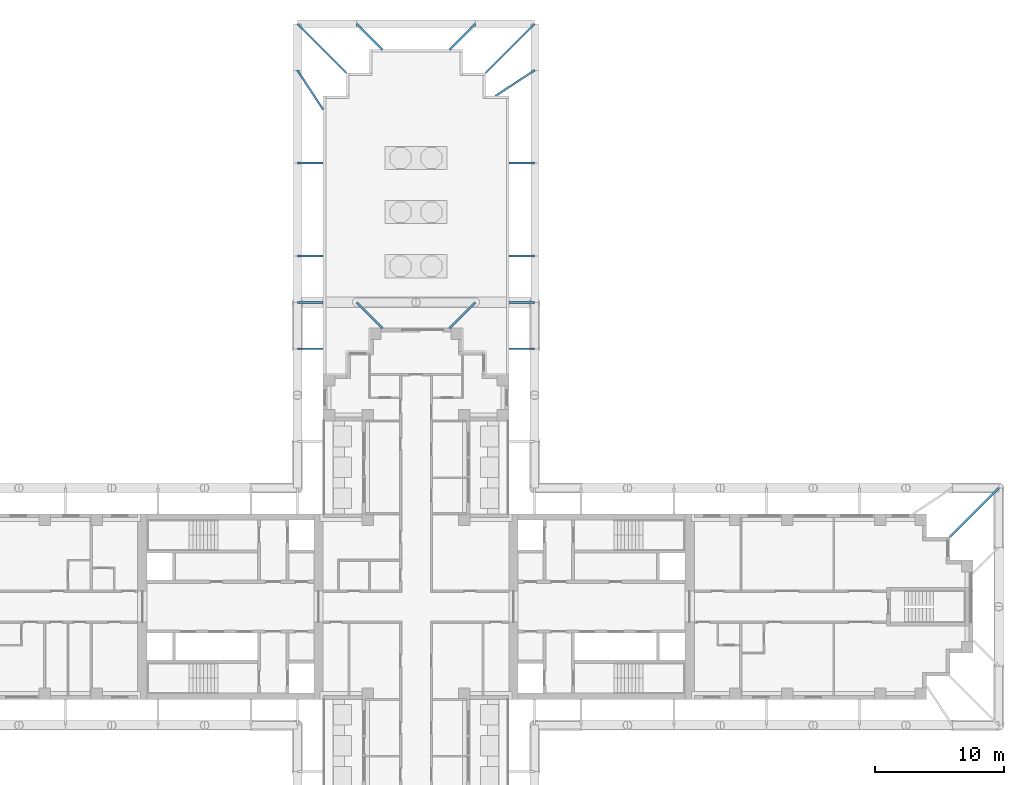
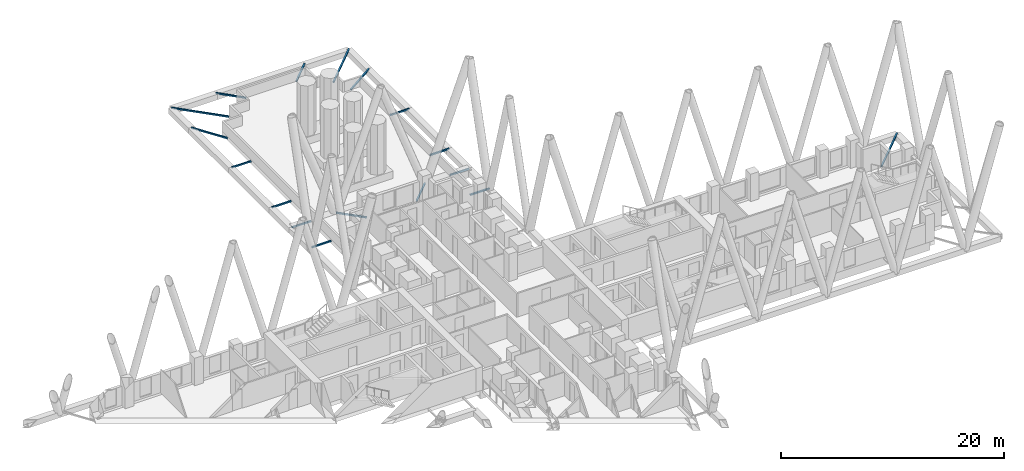
# One storey, part 14 of 16: 17 discrete accessories.
"""IFC4 building model written with IfcOpenShell, lengths in metres."""

from ifc_helpers import new_model, si_unit, direction, frame, origin, origin_2d, place, context, subcontext, project, spatial, hollow_rectangle, extrude, material, element, save


model = new_model("IFC4")

# Units and contexts
model_context = context("Model", 3, precision=1e-05, world=origin(), true_north=direction((0.0, 1.0)))
body_context = subcontext(model_context, "Body", "Model", "MODEL_VIEW")
ifc_project = project(units=[si_unit("LENGTHUNIT", "METRE"), si_unit("AREAUNIT", "SQUARE_METRE"), si_unit("VOLUMEUNIT", "CUBIC_METRE"), si_unit("PLANEANGLEUNIT", "RADIAN"), si_unit("MASSUNIT", "GRAM", prefix="KILO")], contexts=[model_context])

# Site, building, storey
site_placement = place(None, origin())
site = spatial("IfcSite", under=ifc_project, at=site_placement, CompositionType="ELEMENT")
building_placement = place(site_placement, origin())
building = spatial("IfcBuilding", under=site, at=building_placement, Name="Fustian Cross Tower", CompositionType="ELEMENT")
storey_placement = place(building_placement, frame((0.0, 0.0, 66.89990234375)))
storey = spatial("IfcBuildingStorey", under=building, at=storey_placement, Name="L20", CompositionType="ELEMENT", Elevation=66.89990234375)

# Discrete accessories
ifc_material = material(Name="Steel S355", Category="steel")
discrete_accessory_1_placement = place(storey_placement, frame((45.199951171875, 9.199951171875, -0.14990234375), z_axis=(-0.707106781187, -0.707106781187, 0.0), x_axis=(0.707106781187, -0.707106781187, 0.0)))
element("IfcDiscreteAccessory", 1, at=discrete_accessory_1_placement, inside=storey, material=ifc_material, Name="Diagrid node bracket L20-02", PredefinedType="BRACKET", context=body_context, shape_type="SweptSolid", body=[
    extrude(hollow_rectangle(XDim=0.14990234375, YDim=0.14990234375, WallThickness=0.010009765625, at=origin_2d()), origin(), (0.0, 0.0, 1.0), 5.3740234375),
])
for number, where, z_axis, x_axis, name in (
    (2, (9.199951171875, 20.0, -0.14990234375), (-1.0, 0.0, 0.0), (0.0, -1.0, 0.0), "Diagrid node bracket L20-10"),
    (3, (9.199951171875, 23.60009765625, -0.14990234375), (-1.0, 0.0, 0.0), (0.0, -1.0, 0.0), "Diagrid node bracket L20-11"),
    (4, (9.199951171875, 27.199951171875, -0.14990234375), (-1.0, 0.0, 0.0), (0.0, -1.0, 0.0), "Diagrid node bracket L20-12"),
    (5, (9.199951171875, 34.39990234375, -0.14990234375), (-1.0, 0.0, 0.0), (0.0, -1.0, 0.0), "Diagrid node bracket L20-13"),
):
    element("IfcDiscreteAccessory", number, at=place(storey_placement, frame(where, z_axis=z_axis, x_axis=x_axis)), inside=storey, material=ifc_material, Name=name, PredefinedType="BRACKET", context=body_context, shape_type="SweptSolid", body=[
        extrude(hollow_rectangle(XDim=0.14990234375, YDim=0.14990234375, WallThickness=0.010009765625, at=origin_2d()), origin(), (0.0, 0.0, 1.0), 2.0),
    ])
discrete_accessory_2_placement = place(storey_placement, frame((9.199951171875, 41.60009765625, -0.14990234375), z_axis=(-0.836248392914, -0.548350823241, 0.0), x_axis=(0.548350823241, -0.836248392914, 0.0)))
element("IfcDiscreteAccessory", 6, at=discrete_accessory_2_placement, inside=storey, material=ifc_material, Name="Diagrid node bracket L20-14", PredefinedType="BRACKET", context=body_context, shape_type="SweptSolid", body=[
    extrude(hollow_rectangle(XDim=0.14990234375, YDim=0.14990234375, WallThickness=0.010009765625, at=origin_2d()), origin(), (0.0, 0.0, 1.0), 3.647216796875),
])
discrete_accessory_3_placement = place(storey_placement, frame((9.199951171875, 45.199951171875, -0.14990234375), z_axis=(-0.707106781187, -0.707106781187, 0.0), x_axis=(0.707106781187, -0.707106781187, 0.0)))
element("IfcDiscreteAccessory", 7, at=discrete_accessory_3_placement, inside=storey, material=ifc_material, Name="Diagrid node bracket L20-15", PredefinedType="BRACKET", context=body_context, shape_type="SweptSolid", body=[
    extrude(hollow_rectangle(XDim=0.14990234375, YDim=0.14990234375, WallThickness=0.010009765625, at=origin_2d()), origin(), (0.0, 0.0, 1.0), 5.3740234375),
])
for number, where, z_axis, x_axis, name in (
    (8, (4.60009765625, 23.60009765625, -0.14990234375), (-0.707106781187, -0.707106781187, 0.0), (0.707106781187, -0.707106781187, 0.0), "Diagrid node bracket L20-16"),
    (9, (4.60009765625, 45.199951171875, -0.14990234375), (-0.707106781187, -0.707106781187, 0.0), (0.707106781187, -0.707106781187, 0.0), "Diagrid node bracket L20-17"),
    (10, (-4.60009765625, 45.199951171875, -0.14990234375), (0.707106781187, -0.707106781187, 0.0), (0.707106781187, 0.707106781187, 0.0), "Diagrid node bracket L20-18"),
    (11, (-4.60009765625, 23.60009765625, -0.14990234375), (0.707106781187, -0.707106781187, 0.0), (0.707106781187, 0.707106781187, 0.0), "Diagrid node bracket L20-19"),
):
    element("IfcDiscreteAccessory", number, at=place(storey_placement, frame(where, z_axis=z_axis, x_axis=x_axis)), inside=storey, material=ifc_material, Name=name, PredefinedType="BRACKET", context=body_context, shape_type="SweptSolid", body=[
        extrude(hollow_rectangle(XDim=0.14990234375, YDim=0.14990234375, WallThickness=0.010009765625, at=origin_2d()), origin(), (0.0, 0.0, 1.0), 2.828369140625),
    ])
discrete_accessory_4_placement = place(storey_placement, frame((-9.199951171875, 45.199951171875, -0.14990234375), z_axis=(0.707106781187, -0.707106781187, 0.0), x_axis=(0.707106781187, 0.707106781187, 0.0)))
element("IfcDiscreteAccessory", 12, at=discrete_accessory_4_placement, inside=storey, material=ifc_material, Name="Diagrid node bracket L20-20", PredefinedType="BRACKET", context=body_context, shape_type="SweptSolid", body=[
    extrude(hollow_rectangle(XDim=0.14990234375, YDim=0.14990234375, WallThickness=0.010009765625, at=origin_2d()), origin(), (0.0, 0.0, 1.0), 5.3740234375),
])
discrete_accessory_5_placement = place(storey_placement, frame((-9.199951171875, 41.60009765625, -0.14990234375), z_axis=(0.548350823241, -0.836248392914, 0.0), x_axis=(0.836248392914, 0.548350823241, 0.0)))
element("IfcDiscreteAccessory", 13, at=discrete_accessory_5_placement, inside=storey, material=ifc_material, Name="Diagrid node bracket L20-21", PredefinedType="BRACKET", context=body_context, shape_type="SweptSolid", body=[
    extrude(hollow_rectangle(XDim=0.14990234375, YDim=0.14990234375, WallThickness=0.010009765625, at=origin_2d()), origin(), (0.0, 0.0, 1.0), 3.647216796875),
])
for number, where, z_axis, x_axis, name in (
    (14, (-9.199951171875, 34.39990234375, -0.14990234375), (1.0, 0.0, 0.0), (0.0, 1.0, 0.0), "Diagrid node bracket L20-22"),
    (15, (-9.199951171875, 27.199951171875, -0.14990234375), (1.0, 0.0, 0.0), (0.0, 1.0, 0.0), "Diagrid node bracket L20-23"),
    (16, (-9.199951171875, 23.60009765625, -0.14990234375), (1.0, 0.0, 0.0), (0.0, 1.0, 0.0), "Diagrid node bracket L20-24"),
    (17, (-9.199951171875, 20.0, -0.14990234375), (1.0, 0.0, 0.0), (0.0, 1.0, 0.0), "Diagrid node bracket L20-25"),
):
    element("IfcDiscreteAccessory", number, at=place(storey_placement, frame(where, z_axis=z_axis, x_axis=x_axis)), inside=storey, material=ifc_material, Name=name, PredefinedType="BRACKET", context=body_context, shape_type="SweptSolid", body=[
        extrude(hollow_rectangle(XDim=0.14990234375, YDim=0.14990234375, WallThickness=0.010009765625, at=origin_2d()), origin(), (0.0, 0.0, 1.0), 2.0),
    ])

save(model, "model.ifc")
